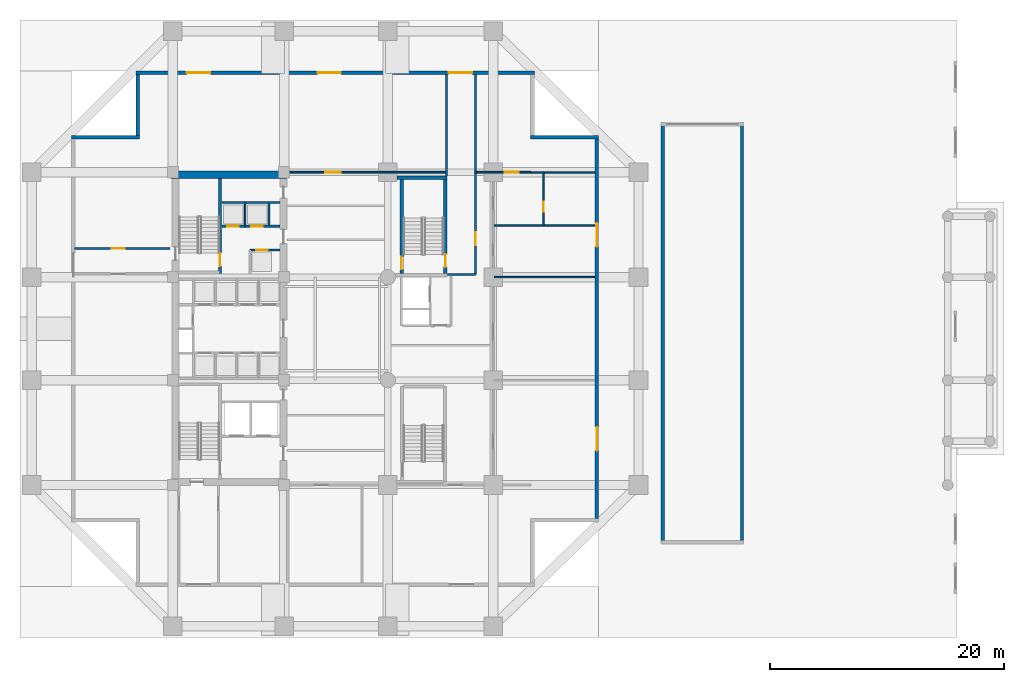
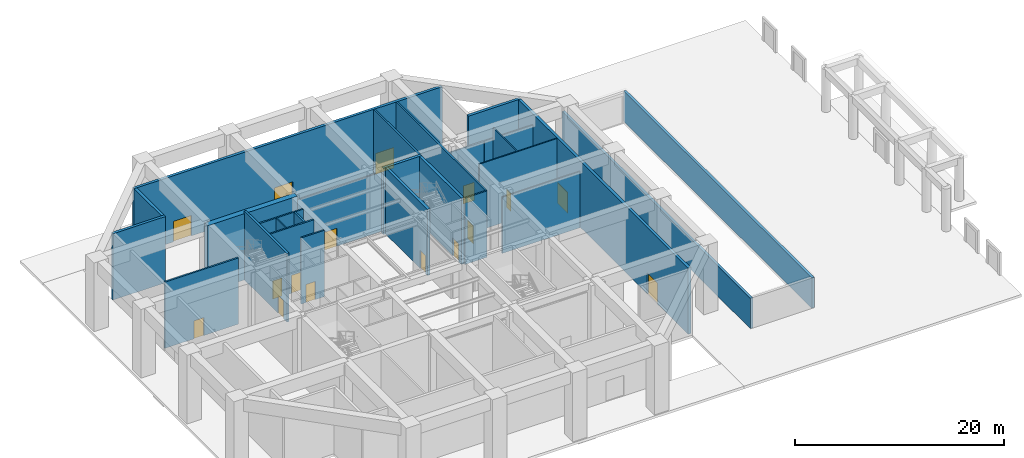
# One storey, part 5 of 10: 27 walls, 16 doors, 16 openings.
"""IFC4 building model written with IfcOpenShell, lengths in metres."""

from ifc_helpers import new_model, si_unit, direction, frame, frame_2d, origin, place, context, subcontext, project, spatial, rectangle, extrude, material, layer, layer_set, type_object, element, fill, save


model = new_model("IFC4")

# Units and contexts
model_context = context("Model", 3, precision=1e-05, world=origin(), true_north=direction((0.0, 1.0)))
body_context = subcontext(model_context, "Body", "Model", "MODEL_VIEW")
ifc_project = project(units=[si_unit("LENGTHUNIT", "METRE"), si_unit("AREAUNIT", "SQUARE_METRE"), si_unit("VOLUMEUNIT", "CUBIC_METRE"), si_unit("PLANEANGLEUNIT", "RADIAN"), si_unit("MASSUNIT", "GRAM", prefix="KILO")], contexts=[model_context])

# Site, building, storey
site_placement = place(None, origin())
site = spatial("IfcSite", under=ifc_project, at=site_placement, CompositionType="ELEMENT")
building_placement = place(site_placement, origin())
building = spatial("IfcBuilding", under=site, at=building_placement, Name="Kundavana Baori Tower", CompositionType="ELEMENT")
storey_placement = place(building_placement, origin())
storey = spatial("IfcBuildingStorey", under=building, at=storey_placement, Name="L00", CompositionType="ELEMENT", Elevation=0.0)

# Walls
ifc_material_1 = material(Name="Concrete C50/60", Category="concrete")
ifc_layer_1 = layer(ifc_material_1, 0.39990234375, Name="WL-CORE-400")
ifc_layer_set_1 = layer_set([ifc_layer_1], Name="Concrete C50/60")
wall_type_1 = type_object("IfcWallType", Name="WL-CORE-400", PredefinedType="SHEAR", material=ifc_layer_set_1)
for number, where, z_axis, x_axis, name in (
    (1, (57.260009765625, 10.25, 0.0), (0.0, 0.0, 1.0), (0.0, 1.0, 0.0), "L00 Car Park Ramp Headhouse West Wall"),
    (2, (64.0400390625, 10.25, 0.0), (0.0, 0.0, 1.0), (0.0, 1.0, 0.0), "L00 Car Park Ramp Headhouse East Wall"),
):
    element("IfcWall", number, at=place(storey_placement, frame(where, z_axis=z_axis, x_axis=x_axis)), inside=storey, type_object=wall_type_1, Name=name, PredefinedType="SHEAR", context=body_context, shape_type="SweptSolid", body=[
        extrude(rectangle(XDim=35.949951171875, YDim=0.280029296875, at=frame_2d((17.97509765625, 0.0))), origin(), (0.0, 0.0, 1.0), 3.5400390625),
    ])

# Wall, opening, door
wall_1_placement = place(storey_placement, frame((19.4599609375, 33.300048828125, 0.0), z_axis=(0.0, 0.0, 1.0), x_axis=(0.0, 1.0, 0.0)))
wall_1 = element("IfcWall", 3, at=wall_1_placement, inside=storey, type_object=wall_type_1, Name="WL-L00-ST2-E", PredefinedType="SHEAR", context=body_context, shape_type="SweptSolid", body=[
    extrude(rectangle(XDim=8.179931640625, YDim=0.239990234375, at=frame_2d((4.08984375, 0.0))), origin(), (0.0, 0.0, 1.0), 8.0),
])
opening_1_placement = place(wall_1_placement, frame((0.64990234375, 0.0, 0.0)))
opening_1 = element("IfcOpeningElement", 4, at=opening_1_placement, cuts=wall_1, Name="Opening FD-110", PredefinedType="OPENING", context=body_context, shape_type="SweptSolid", body=[
    extrude(rectangle(XDim=1.10009765625, YDim=2.10009765625, at=frame_2d((0.550048828125, 1.050048828125))), frame((0.0, 0.1298828125, 0.0), z_axis=(0.0, -1.0, 0.0), x_axis=(1.0, 0.0, 0.0)), (0.0, 0.0, 1.0), 0.260009765625),
])
ifc_material_2 = material(Name="Galvanised Steel Fire-Rated Door Leaf", Category="steel")
door_type_1 = type_object("IfcDoorType", Name="DR-FD120-1100", OperationType="NOTDEFINED", PredefinedType="DOOR", material=ifc_material_2)
door_1_placement = place(opening_1_placement, origin())
door_1 = element("IfcDoor", 5, at=door_1_placement, inside=storey, type_object=door_type_1, Name="DR-L00-ST2", OperationType="SINGLE_SWING_RIGHT", OverallHeight=2.10009765625, OverallWidth=1.10009765625, PredefinedType="DOOR", context=body_context, shape_type="SweptSolid", body=[
    extrude(rectangle(XDim=1.10009765625, YDim=2.10009765625, at=frame_2d((0.550048828125, 1.050048828125))), frame((0.0, 0.02490234375, 0.0), z_axis=(0.0, -1.0, 0.0), x_axis=(1.0, 0.0, 0.0)), (0.0, 0.0, 1.0), 0.050048828125),
])
fill(opening_1, door_1)

# Wall
ifc_material_3 = material(Name="Concrete C60/75", Category="concrete")
ifc_layer_2 = layer(ifc_material_3, 0.60009765625, Name="WL-CORE-600")
ifc_layer_set_2 = layer_set([ifc_layer_2], Name="Concrete C60/75")
wall_type_2 = type_object("IfcWallType", Name="WL-CORE-600", PredefinedType="SHEAR", material=ifc_layer_set_2)
wall_2_placement = place(storey_placement, frame((15.300048828125, 41.739990234375, 0.0), z_axis=(0.0, 0.0, 1.0), x_axis=(1.0, 0.0, 0.0)))
element("IfcWall", 6, at=wall_2_placement, inside=storey, type_object=wall_type_2, Name="L00 Offset Core North Shear Wall", PredefinedType="SHEAR", context=body_context, shape_type="SweptSolid", body=[
    extrude(rectangle(XDim=9.8798828125, YDim=0.60009765625, at=frame_2d((4.93994140625, 0.0))), origin(), (0.0, 0.0, 1.0), 7.719970703125),
])

# Wall, openings, doors
ifc_material_4 = material(Name="Red-Buff Dholpur Sandstone Cladding on Concrete C40/50", Category="masonry")
ifc_layer_3 = layer(ifc_material_4, 0.300048828125, Name="WL-EXT-SAND-300")
ifc_layer_set_3 = layer_set([ifc_layer_3], Name="Red-Buff Dholpur Sandstone Cladding on Concrete C40/50")
wall_type_3 = type_object("IfcWallType", Name="WL-EXT-SAND-300", PredefinedType="STANDARD", material=ifc_layer_set_3)
wall_3_placement = place(storey_placement, frame((51.64990234375, 12.39990234375, 0.0), z_axis=(0.0, 0.0, 1.0), x_axis=(0.0, 1.0, 0.0)))
wall_3 = element("IfcWall", 7, at=wall_3_placement, inside=storey, type_object=wall_type_3, Name="L00 Exterior Insulated Facade Wall 04", PredefinedType="STANDARD", context=body_context, shape_type="SweptSolid", body=[
    extrude(rectangle(XDim=32.400146484375, YDim=0.300048828125, at=frame_2d((16.2001953125, 0.0))), origin(), (0.0, 0.0, 1.0), 7.719970703125),
])
opening_2_placement = place(wall_3_placement, frame((5.800048828125, 0.0, 0.0)))
opening_2 = element("IfcOpeningElement", 8, at=opening_2_placement, cuts=wall_3, Name="Opening ED-1", PredefinedType="OPENING", context=body_context, shape_type="SweptSolid", body=[
    extrude(rectangle(XDim=2.0, YDim=2.39990234375, at=frame_2d((1.0, 1.199951171875))), frame((0.0, 0.16015625, 0.0), z_axis=(0.0, -1.0, 0.0), x_axis=(1.0, 0.0, 0.0)), (0.0, 0.0, 1.0), 0.320068359375),
])
opening_3_placement = place(wall_3_placement, frame((23.199951171875, 0.0, 0.0)))
opening_3 = element("IfcOpeningElement", 9, at=opening_3_placement, cuts=wall_3, Name="Opening ED-1", PredefinedType="OPENING", context=body_context, shape_type="SweptSolid", body=[
    extrude(rectangle(XDim=2.0, YDim=2.39990234375, at=frame_2d((1.0, 1.199951171875))), frame((0.0, 0.16015625, 0.0), z_axis=(0.0, -1.0, 0.0), x_axis=(1.0, 0.0, 0.0)), (0.0, 0.0, 1.0), 0.320068359375),
])
ifc_material_5 = material(Name="Architectural Patinated Bronze Metalwork")
door_type_2 = type_object("IfcDoorType", Name="DR-EXT-EXIT-2000", OperationType="NOTDEFINED", PredefinedType="DOOR", material=ifc_material_5)
door_2_placement = place(opening_2_placement, frame((2.0, 0.0, 0.0), z_axis=(0.0, 0.0, 1.0), x_axis=(-1.0, 0.0, 0.0)))
door_2 = element("IfcDoor", 10, at=door_2_placement, inside=storey, type_object=door_type_2, Name="L00 Final Street Exit Door ED-E1", OperationType="DOUBLE_DOOR_SINGLE_SWING", OverallHeight=2.39990234375, OverallWidth=2.0, PredefinedType="DOOR", context=body_context, shape_type="SweptSolid", body=[
    extrude(rectangle(XDim=2.0, YDim=2.39990234375, at=frame_2d((1.0, 1.199951171875))), frame((0.0, 0.02490234375, 0.0), z_axis=(0.0, -1.0, 0.0), x_axis=(1.0, 0.0, 0.0)), (0.0, 0.0, 1.0), 0.050048828125),
])
fill(opening_2, door_2)
door_3_placement = place(opening_3_placement, frame((2.0, 0.0, 0.0), z_axis=(0.0, 0.0, 1.0), x_axis=(-1.0, 0.0, 0.0)))
door_3 = element("IfcDoor", 11, at=door_3_placement, inside=storey, type_object=door_type_2, Name="L00 Final Street Exit Door ED-E2", OperationType="DOUBLE_DOOR_SINGLE_SWING", OverallHeight=2.39990234375, OverallWidth=2.0, PredefinedType="DOOR", context=body_context, shape_type="SweptSolid", body=[
    extrude(rectangle(XDim=2.0, YDim=2.39990234375, at=frame_2d((1.0, 1.199951171875))), frame((0.0, 0.02490234375, 0.0), z_axis=(0.0, -1.0, 0.0), x_axis=(1.0, 0.0, 0.0)), (0.0, 0.0, 1.0), 0.050048828125),
])
fill(opening_3, door_3)

# Wall
wall_4_placement = place(storey_placement, frame((51.800048828125, 44.949951171875, 0.0), z_axis=(0.0, 0.0, 1.0), x_axis=(-1.0, 0.0, 0.0)))
element("IfcWall", 12, at=wall_4_placement, inside=storey, type_object=wall_type_3, Name="L00 Exterior Insulated Facade Wall 05", PredefinedType="STANDARD", context=body_context, shape_type="SweptSolid", body=[
    extrude(rectangle(XDim=5.800048828125, YDim=0.300048828125, at=frame_2d((2.89990234375, 0.0))), origin(), (0.0, 0.0, 1.0), 7.719970703125),
])

# Wall, openings, doors
wall_5_placement = place(storey_placement, frame((46.300048828125, 50.449951171875, 0.0), z_axis=(0.0, 0.0, 1.0), x_axis=(-1.0, 0.0, 0.0)))
wall_5 = element("IfcWall", 13, at=wall_5_placement, inside=storey, type_object=wall_type_3, Name="L00 Exterior Insulated Facade Wall 07", PredefinedType="STANDARD", context=body_context, shape_type="SweptSolid", body=[
    extrude(rectangle(XDim=34.0, YDim=0.300048828125, at=frame_2d((17.0, 0.0))), origin(), (0.0, 0.0, 1.0), 7.719970703125),
])
opening_4_placement = place(wall_5_placement, frame((5.300048828125, 0.0, 0.0)))
opening_4 = element("IfcOpeningElement", 14, at=opening_4_placement, cuts=wall_5, Name="Opening ED-1", PredefinedType="OPENING", context=body_context, shape_type="SweptSolid", body=[
    extrude(rectangle(XDim=2.0, YDim=2.39990234375, at=frame_2d((1.0, 1.199951171875))), frame((0.0, 0.16015625, 0.0), z_axis=(0.0, -1.0, 0.0), x_axis=(1.0, 0.0, 0.0)), (0.0, 0.0, 1.0), 0.320068359375),
])
opening_5_placement = place(wall_5_placement, frame((16.5, 0.0, 0.0)))
opening_5 = element("IfcOpeningElement", 15, at=opening_5_placement, cuts=wall_5, Name="Opening ED-1", PredefinedType="OPENING", context=body_context, shape_type="SweptSolid", body=[
    extrude(rectangle(XDim=2.0, YDim=2.39990234375, at=frame_2d((1.0, 1.199951171875))), frame((0.0, 0.16015625, 0.0), z_axis=(0.0, -1.0, 0.0), x_axis=(1.0, 0.0, 0.0)), (0.0, 0.0, 1.0), 0.320068359375),
])
opening_6_placement = place(wall_5_placement, frame((27.64990234375, 0.0, 0.0)))
opening_6 = element("IfcOpeningElement", 16, at=opening_6_placement, cuts=wall_5, Name="Opening ED-1", PredefinedType="OPENING", context=body_context, shape_type="SweptSolid", body=[
    extrude(rectangle(XDim=2.0, YDim=2.39990234375, at=frame_2d((1.0, 1.199951171875))), frame((0.0, 0.16015625, 0.0), z_axis=(0.0, -1.0, 0.0), x_axis=(1.0, 0.0, 0.0)), (0.0, 0.0, 1.0), 0.320068359375),
])
door_4_placement = place(opening_4_placement, frame((2.0, 0.0, 0.0), z_axis=(0.0, 0.0, 1.0), x_axis=(-1.0, 0.0, 0.0)))
door_4 = element("IfcDoor", 17, at=door_4_placement, inside=storey, type_object=door_type_2, Name="L00 Final Street Exit Door ED-N3", OperationType="DOUBLE_DOOR_SINGLE_SWING", OverallHeight=2.39990234375, OverallWidth=2.0, PredefinedType="DOOR", context=body_context, shape_type="SweptSolid", body=[
    extrude(rectangle(XDim=2.0, YDim=2.39990234375, at=frame_2d((1.0, 1.199951171875))), frame((0.0, 0.02490234375, 0.0), z_axis=(0.0, -1.0, 0.0), x_axis=(1.0, 0.0, 0.0)), (0.0, 0.0, 1.0), 0.050048828125),
])
fill(opening_4, door_4)
door_5_placement = place(opening_5_placement, frame((2.0, 0.0, 0.0), z_axis=(0.0, 0.0, 1.0), x_axis=(-1.0, 0.0, 0.0)))
door_5 = element("IfcDoor", 18, at=door_5_placement, inside=storey, type_object=door_type_2, Name="L00 Final Street Exit Door ED-N1", OperationType="DOUBLE_DOOR_SINGLE_SWING", OverallHeight=2.39990234375, OverallWidth=2.0, PredefinedType="DOOR", context=body_context, shape_type="SweptSolid", body=[
    extrude(rectangle(XDim=2.0, YDim=2.39990234375, at=frame_2d((1.0, 1.199951171875))), frame((0.0, 0.02490234375, 0.0), z_axis=(0.0, -1.0, 0.0), x_axis=(1.0, 0.0, 0.0)), (0.0, 0.0, 1.0), 0.050048828125),
])
fill(opening_5, door_5)
door_6_placement = place(opening_6_placement, frame((2.0, 0.0, 0.0), z_axis=(0.0, 0.0, 1.0), x_axis=(-1.0, 0.0, 0.0)))
door_6 = element("IfcDoor", 19, at=door_6_placement, inside=storey, type_object=door_type_2, Name="L00 Final Street Exit Door ED-N2", OperationType="DOUBLE_DOOR_SINGLE_SWING", OverallHeight=2.39990234375, OverallWidth=2.0, PredefinedType="DOOR", context=body_context, shape_type="SweptSolid", body=[
    extrude(rectangle(XDim=2.0, YDim=2.39990234375, at=frame_2d((1.0, 1.199951171875))), frame((0.0, 0.02490234375, 0.0), z_axis=(0.0, -1.0, 0.0), x_axis=(1.0, 0.0, 0.0)), (0.0, 0.0, 1.0), 0.050048828125),
])
fill(opening_6, door_6)

# Walls
wall_6_placement = place(storey_placement, frame((12.449951171875, 50.300048828125, 0.0), z_axis=(0.0, 0.0, 1.0), x_axis=(0.0, -1.0, 0.0)))
element("IfcWall", 20, at=wall_6_placement, inside=storey, type_object=wall_type_3, Name="L00 Exterior Insulated Facade Wall 08", PredefinedType="STANDARD", context=body_context, shape_type="SweptSolid", body=[
    extrude(rectangle(XDim=5.199951171875, YDim=0.300048828125, at=frame_2d((2.60009765625, 0.0))), origin(), (0.0, 0.0, 1.0), 7.719970703125),
])
wall_7_placement = place(storey_placement, frame((12.60009765625, 44.949951171875, 0.0), z_axis=(0.0, 0.0, 1.0), x_axis=(-1.0, 0.0, 0.0)))
element("IfcWall", 21, at=wall_7_placement, inside=storey, type_object=wall_type_3, Name="L00 Exterior Insulated Facade Wall 09", PredefinedType="STANDARD", context=body_context, shape_type="SweptSolid", body=[
    extrude(rectangle(XDim=5.800048828125, YDim=0.300048828125, at=frame_2d((2.89990234375, 0.0))), origin(), (0.0, 0.0, 1.0), 7.719970703125),
])
ifc_material_6 = material(Name="Acoustic Gypsum Plasterboard on Galvanised Steel Studs", Category="steel")
ifc_layer_4 = layer(ifc_material_6, 0.1201171875, Name="WL-PART-120")
ifc_layer_set_4 = layer_set([ifc_layer_4], Name="Acoustic Gypsum Plasterboard on Galvanised Steel Studs")
wall_type_4 = type_object("IfcWallType", Name="WL-PART-120", PredefinedType="PARTITIONING", material=ifc_layer_set_4)
wall_8_placement = place(storey_placement, frame((21.6201171875, 37.39990234375, 0.0), z_axis=(0.0, 0.0, 1.0), x_axis=(0.0, 1.0, 0.0)))
element("IfcWall", 22, at=wall_8_placement, inside=storey, type_object=wall_type_4, Name="WL-L00-HR-DIV1", PredefinedType="PARTITIONING", context=body_context, shape_type="SweptSolid", body=[
    extrude(rectangle(XDim=1.900146484375, YDim=0.1201171875, at=frame_2d((0.9501953125, 0.0))), origin(), (0.0, 0.0, 1.0), 7.719970703125),
])

# Wall, opening, door
ifc_material_7 = material(Name="Fire-Rated Gypsum Drywall on Galvanised Steel Studs", Category="steel")
ifc_layer_5 = layer(ifc_material_7, 0.14990234375, Name="WL-PART-150")
ifc_layer_set_5 = layer_set([ifc_layer_5], Name="Fire-Rated Gypsum Drywall on Galvanised Steel Studs")
wall_type_5 = type_object("IfcWallType", Name="WL-PART-150", PredefinedType="PARTITIONING", material=ifc_layer_set_5)
wall_9_placement = place(storey_placement, frame((25.25, 41.949951171875, 0.0), z_axis=(0.0, 0.0, 1.0), x_axis=(1.0, 0.0, 0.0)))
wall_9 = element("IfcWall", 23, at=wall_9_placement, inside=storey, type_object=wall_type_5, Name="WL-L00-NLINE", PredefinedType="PARTITIONING", context=body_context, shape_type="SweptSolid", body=[
    extrude(rectangle(XDim=13.550048828125, YDim=0.14990234375, at=frame_2d((6.77490234375, 0.0))), origin(), (0.0, 0.0, 1.0), 6.919921875),
])
opening_7_placement = place(wall_9_placement, frame((3.199951171875, 0.0, 0.0)))
opening_7 = element("IfcOpeningElement", 24, at=opening_7_placement, cuts=wall_9, Name="Opening ID-135", PredefinedType="OPENING", context=body_context, shape_type="SweptSolid", body=[
    extrude(rectangle(XDim=1.35009765625, YDim=2.10009765625, at=frame_2d((0.675048828125, 1.050048828125))), frame((0.0, 0.0849609375, 0.0), z_axis=(0.0, -1.0, 0.0), x_axis=(1.0, 0.0, 0.0)), (0.0, 0.0, 1.0), 0.169921875),
])
ifc_material_8 = material(Name="Engineered Teak Solid-Core Timber Veneer", Category="wood")
door_type_3 = type_object("IfcDoorType", Name="DR-INT-1350", OperationType="NOTDEFINED", PredefinedType="DOOR", material=ifc_material_8)
door_7_placement = place(opening_7_placement, origin())
door_7 = element("IfcDoor", 25, at=door_7_placement, inside=storey, type_object=door_type_3, Name="DR-L00-GALN", OperationType="SINGLE_SWING_LEFT", OverallHeight=2.10009765625, OverallWidth=1.35009765625, PredefinedType="DOOR", context=body_context, shape_type="SweptSolid", body=[
    extrude(rectangle(XDim=1.35009765625, YDim=2.10009765625, at=frame_2d((0.675048828125, 1.050048828125))), frame((0.0, 0.02490234375, 0.0), z_axis=(0.0, -1.0, 0.0), x_axis=(1.0, 0.0, 0.0)), (0.0, 0.0, 1.0), 0.050048828125),
])
fill(opening_7, door_7)

wall_10_placement = place(storey_placement, frame((41.280029296875, 41.949951171875, 0.0), z_axis=(0.0, 0.0, 1.0), x_axis=(1.0, 0.0, 0.0)))
wall_10 = element("IfcWall", 26, at=wall_10_placement, inside=storey, type_object=wall_type_5, Name="WL-L00-NLINE2", PredefinedType="PARTITIONING", context=body_context, shape_type="SweptSolid", body=[
    extrude(rectangle(XDim=4.719970703125, YDim=0.14990234375, at=frame_2d((2.35986328125, 0.0))), origin(), (0.0, 0.0, 1.0), 6.550048828125),
])
opening_8_placement = place(wall_10_placement, frame((2.5, 0.0, 0.0)))
opening_8 = element("IfcOpeningElement", 27, at=opening_8_placement, cuts=wall_10, Name="Opening ID-120", PredefinedType="OPENING", context=body_context, shape_type="SweptSolid", body=[
    extrude(rectangle(XDim=1.199951171875, YDim=2.10009765625, at=frame_2d((0.60009765625, 1.050048828125))), frame((0.0, 0.0849609375, 0.0), z_axis=(0.0, -1.0, 0.0), x_axis=(1.0, 0.0, 0.0)), (0.0, 0.0, 1.0), 0.169921875),
])
ifc_material_9 = material(Name="Engineered Teak Solid-Core Timber Veneer", Category="wood")
door_type_4 = type_object("IfcDoorType", Name="DR-INT-1200", OperationType="NOTDEFINED", PredefinedType="DOOR", material=ifc_material_9)
door_8_placement = place(opening_8_placement, origin())
door_8 = element("IfcDoor", 28, at=door_8_placement, inside=storey, type_object=door_type_4, Name="DR-L00-GALNE", OperationType="SINGLE_SWING_RIGHT", OverallHeight=2.10009765625, OverallWidth=1.199951171875, PredefinedType="DOOR", context=body_context, shape_type="SweptSolid", body=[
    extrude(rectangle(XDim=1.199951171875, YDim=2.10009765625, at=frame_2d((0.60009765625, 1.050048828125))), frame((0.0, 0.02490234375, 0.0), z_axis=(0.0, -1.0, 0.0), x_axis=(1.0, 0.0, 0.0)), (0.0, 0.0, 1.0), 0.050048828125),
])
fill(opening_8, door_8)

ifc_material_10 = material(Name="Autoclaved Aerated Concrete Blockwork Masonry", Category="masonry")
ifc_layer_6 = layer(ifc_material_10, 0.18505859375, Name="WL-PART-180")
ifc_layer_set_6 = layer_set([ifc_layer_6], Name="Autoclaved Aerated Concrete Blockwork Masonry")
wall_type_6 = type_object("IfcWallType", Name="WL-PART-180", PredefinedType="SOLIDWALL", material=ifc_layer_set_6)
wall_11_placement = place(storey_placement, frame((7.050048828125, 35.43994140625, 0.0), z_axis=(0.0, 0.0, 1.0), x_axis=(1.0, 0.0, 0.0)))
wall_11 = element("IfcWall", 29, at=wall_11_placement, inside=storey, type_object=wall_type_6, Name="WL-L00-EXD2-N", PredefinedType="SOLIDWALL", context=body_context, shape_type="SweptSolid", body=[
    extrude(rectangle(XDim=8.14990234375, YDim=0.18505859375, at=frame_2d((4.074951171875, 0.0))), origin(), (0.0, 0.0, 1.0), 7.719970703125),
])
opening_9_placement = place(wall_11_placement, frame((3.199951171875, 0.0, 0.0)))
opening_9 = element("IfcOpeningElement", 30, at=opening_9_placement, cuts=wall_11, Name="Opening FD-110", PredefinedType="OPENING", context=body_context, shape_type="SweptSolid", body=[
    extrude(rectangle(XDim=1.10009765625, YDim=2.10009765625, at=frame_2d((0.550048828125, 1.050048828125))), frame((0.0, 0.1025390625, 0.0), z_axis=(0.0, -1.0, 0.0), x_axis=(1.0, 0.0, 0.0)), (0.0, 0.0, 1.0), 0.205078125),
])
door_9_placement = place(opening_9_placement, origin())
door_9 = element("IfcDoor", 31, at=door_9_placement, inside=storey, type_object=door_type_1, Name="DR-L00-EXD2-E", OperationType="SINGLE_SWING_LEFT", OverallHeight=2.10009765625, OverallWidth=1.10009765625, PredefinedType="DOOR", context=body_context, shape_type="SweptSolid", body=[
    extrude(rectangle(XDim=1.10009765625, YDim=2.10009765625, at=frame_2d((0.550048828125, 1.050048828125))), frame((0.0, 0.02490234375, 0.0), z_axis=(0.0, -1.0, 0.0), x_axis=(1.0, 0.0, 0.0)), (0.0, 0.0, 1.0), 0.050048828125),
])
fill(opening_9, door_9)

# Walls
wall_12_placement = place(storey_placement, frame((38.8798828125, 33.219970703125, 0.0), z_axis=(0.0, 0.0, 1.0), x_axis=(1.0, 0.0, 0.0)))
element("IfcWall", 32, at=wall_12_placement, inside=storey, type_object=wall_type_6, Name="WL-L00-EXD3-S", PredefinedType="SOLIDWALL", context=body_context, shape_type="SweptSolid", body=[
    extrude(rectangle(XDim=2.400146484375, YDim=0.18505859375, at=frame_2d((1.2001953125, 0.0))), origin(), (0.0, 0.0, 1.0), 7.719970703125),
])
wall_13_placement = place(storey_placement, frame((38.800048828125, 41.64990234375, 0.0), z_axis=(0.0, 0.0, 1.0), x_axis=(0.0, 1.0, 0.0)))
element("IfcWall", 33, at=wall_13_placement, inside=storey, type_object=wall_type_6, Name="WL-L00-EXD3-W", PredefinedType="SOLIDWALL", context=body_context, shape_type="SweptSolid", body=[
    extrude(rectangle(XDim=8.650146484375, YDim=0.18505859375, at=frame_2d((4.3251953125, 0.0))), origin(), (0.0, 0.0, 1.0), 7.719970703125),
])

# Wall, opening, door
wall_14_placement = place(storey_placement, frame((41.280029296875, 33.219970703125, 0.0), z_axis=(0.0, 0.0, 1.0), x_axis=(0.0, 1.0, 0.0)))
wall_14 = element("IfcWall", 34, at=wall_14_placement, inside=storey, type_object=wall_type_6, Name="WL-L00-EXD3-E", PredefinedType="SOLIDWALL", context=body_context, shape_type="SweptSolid", body=[
    extrude(rectangle(XDim=17.080078125, YDim=0.18505859375, at=frame_2d((8.5400390625, 0.0))), origin(), (0.0, 0.0, 1.0), 7.719970703125),
])
opening_10_placement = place(wall_14_placement, frame((2.5, 0.0, 0.0)))
opening_10 = element("IfcOpeningElement", 35, at=opening_10_placement, cuts=wall_14, Name="Opening FD-110", PredefinedType="OPENING", context=body_context, shape_type="SweptSolid", body=[
    extrude(rectangle(XDim=1.10009765625, YDim=2.10009765625, at=frame_2d((0.550048828125, 1.050048828125))), frame((0.0, 0.1025390625, 0.0), z_axis=(0.0, -1.0, 0.0), x_axis=(1.0, 0.0, 0.0)), (0.0, 0.0, 1.0), 0.205078125),
])
door_10_placement = place(opening_10_placement, origin())
door_10 = element("IfcDoor", 36, at=door_10_placement, inside=storey, type_object=door_type_1, Name="DR-L00-EXD3-E", OperationType="SINGLE_SWING_LEFT", OverallHeight=2.10009765625, OverallWidth=1.10009765625, PredefinedType="DOOR", context=body_context, shape_type="SweptSolid", body=[
    extrude(rectangle(XDim=1.10009765625, YDim=2.10009765625, at=frame_2d((0.550048828125, 1.050048828125))), frame((0.0, 0.02490234375, 0.0), z_axis=(0.0, -1.0, 0.0), x_axis=(1.0, 0.0, 0.0)), (0.0, 0.0, 1.0), 0.050048828125),
])
fill(opening_10, door_10)

ifc_material_11 = material(Name="Autoclaved Aerated Concrete Blockwork Masonry", Category="masonry")
ifc_layer_7 = layer(ifc_material_11, 0.179931640625, Name="WL-SHAFT-180")
ifc_layer_set_7 = layer_set([ifc_layer_7], Name="Autoclaved Aerated Concrete Blockwork Masonry")
wall_type_7 = type_object("IfcWallType", Name="WL-SHAFT-180", PredefinedType="SOLIDWALL", material=ifc_layer_set_7)
wall_15_placement = place(storey_placement, frame((22.02001953125, 35.31005859375, 0.0), z_axis=(0.0, 0.0, 1.0), x_axis=(1.0, 0.0, 0.0)))
wall_15 = element("IfcWall", 37, at=wall_15_placement, inside=storey, type_object=wall_type_7, Name="WL-L00-LP11-N", PredefinedType="SOLIDWALL", context=body_context, shape_type="SweptSolid", body=[
    extrude(rectangle(XDim=2.56005859375, YDim=0.179931640625, at=frame_2d((1.280029296875, 0.0))), origin(), (0.0, 0.0, 1.0), 7.719970703125),
])
opening_11_placement = place(wall_15_placement, frame((0.550048828125, 0.0, 0.0)))
opening_11 = element("IfcOpeningElement", 38, at=opening_11_placement, cuts=wall_15, Name="Opening LD-100", PredefinedType="OPENING", context=body_context, shape_type="SweptSolid", body=[
    extrude(rectangle(XDim=1.0, YDim=2.10009765625, at=frame_2d((0.5, 1.050048828125))), frame((0.0, 0.10009765625, 0.0), z_axis=(0.0, -1.0, 0.0), x_axis=(1.0, 0.0, 0.0)), (0.0, 0.0, 1.0), 0.199951171875),
])
ifc_material_12 = material(Name="Galvanised Steel Fire-Rated Door Leaf", Category="steel")
door_type_5 = type_object("IfcDoorType", Name="DR-SLIDE-LD1000", OperationType="NOTDEFINED", PredefinedType="DOOR", material=ifc_material_12)
door_11_placement = place(opening_11_placement, origin())
door_11 = element("IfcDoor", 39, at=door_11_placement, inside=storey, type_object=door_type_5, Name="DR-L00-LD-LP11", OperationType="DOUBLE_DOOR_SLIDING", OverallHeight=2.10009765625, OverallWidth=1.0, PredefinedType="DOOR", context=body_context, shape_type="SweptSolid", body=[
    extrude(rectangle(XDim=1.0, YDim=2.10009765625, at=frame_2d((0.5, 1.050048828125))), frame((0.0, 0.02490234375, 0.0), z_axis=(0.0, -1.0, 0.0), x_axis=(1.0, 0.0, 0.0)), (0.0, 0.0, 1.0), 0.050048828125),
])
fill(opening_11, door_11)

# Wall, openings, doors
wall_16_placement = place(storey_placement, frame((19.639892578125, 37.340087890625, 0.0), z_axis=(0.0, 0.0, 1.0), x_axis=(1.0, 0.0, 0.0)))
wall_16 = element("IfcWall", 40, at=wall_16_placement, inside=storey, type_object=wall_type_7, Name="WL-L00-HRLOB-N", PredefinedType="SOLIDWALL", context=body_context, shape_type="SweptSolid", body=[
    extrude(rectangle(XDim=4.940185546875, YDim=0.179931640625, at=frame_2d((2.47021484375, 0.0))), origin(), (0.0, 0.0, 1.0), 7.719970703125),
])
opening_12_placement = place(wall_16_placement, frame((0.449951171875, 0.0, 0.0)))
opening_12 = element("IfcOpeningElement", 41, at=opening_12_placement, cuts=wall_16, Name="Opening LD-100", PredefinedType="OPENING", context=body_context, shape_type="SweptSolid", body=[
    extrude(rectangle(XDim=1.0, YDim=2.10009765625, at=frame_2d((0.5, 1.050048828125))), frame((0.0, 0.10009765625, 0.0), z_axis=(0.0, -1.0, 0.0), x_axis=(1.0, 0.0, 0.0)), (0.0, 0.0, 1.0), 0.199951171875),
])
opening_13_placement = place(wall_16_placement, frame((2.5, 0.0, 0.0)))
opening_13 = element("IfcOpeningElement", 42, at=opening_13_placement, cuts=wall_16, Name="Opening LD-100", PredefinedType="OPENING", context=body_context, shape_type="SweptSolid", body=[
    extrude(rectangle(XDim=1.0, YDim=2.10009765625, at=frame_2d((0.5, 1.050048828125))), frame((0.0, 0.10009765625, 0.0), z_axis=(0.0, -1.0, 0.0), x_axis=(1.0, 0.0, 0.0)), (0.0, 0.0, 1.0), 0.199951171875),
])
door_12_placement = place(opening_12_placement, frame((1.0, 0.0, 0.0), z_axis=(0.0, 0.0, 1.0), x_axis=(-1.0, 0.0, 0.0)))
door_12 = element("IfcDoor", 43, at=door_12_placement, inside=storey, type_object=door_type_5, Name="DR-L00-LD-LP09", OperationType="DOUBLE_DOOR_SLIDING", OverallHeight=2.10009765625, OverallWidth=1.0, PredefinedType="DOOR", context=body_context, shape_type="SweptSolid", body=[
    extrude(rectangle(XDim=1.0, YDim=2.10009765625, at=frame_2d((0.5, 1.050048828125))), frame((0.0, 0.02490234375, 0.0), z_axis=(0.0, -1.0, 0.0), x_axis=(1.0, 0.0, 0.0)), (0.0, 0.0, 1.0), 0.050048828125),
])
fill(opening_12, door_12)
door_13_placement = place(opening_13_placement, frame((1.0, 0.0, 0.0), z_axis=(0.0, 0.0, 1.0), x_axis=(-1.0, 0.0, 0.0)))
door_13 = element("IfcDoor", 44, at=door_13_placement, inside=storey, type_object=door_type_5, Name="DR-L00-LD-LP10", OperationType="DOUBLE_DOOR_SLIDING", OverallHeight=2.10009765625, OverallWidth=1.0, PredefinedType="DOOR", context=body_context, shape_type="SweptSolid", body=[
    extrude(rectangle(XDim=1.0, YDim=2.10009765625, at=frame_2d((0.5, 1.050048828125))), frame((0.0, 0.02490234375, 0.0), z_axis=(0.0, -1.0, 0.0), x_axis=(1.0, 0.0, 0.0)), (0.0, 0.0, 1.0), 0.050048828125),
])
fill(opening_13, door_13)

# Walls
wall_17_placement = place(storey_placement, frame((19.639892578125, 39.360107421875, 0.0), z_axis=(0.0, 0.0, 1.0), x_axis=(1.0, 0.0, 0.0)))
element("IfcWall", 45, at=wall_17_placement, inside=storey, type_object=wall_type_7, Name="WL-L00-HRLOB-TOP", PredefinedType="SOLIDWALL", context=body_context, shape_type="SweptSolid", body=[
    extrude(rectangle(XDim=4.940185546875, YDim=0.179931640625, at=frame_2d((2.47021484375, 0.0))), origin(), (0.0, 0.0, 1.0), 7.719970703125),
])
wall_18_placement = place(storey_placement, frame((23.659912109375, 37.39990234375, 0.0), z_axis=(0.0, 0.0, 1.0), x_axis=(0.0, 1.0, 0.0)))
element("IfcWall", 46, at=wall_18_placement, inside=storey, type_object=wall_type_7, Name="WL-L00-HR-DIV2", PredefinedType="SOLIDWALL", context=body_context, shape_type="SweptSolid", body=[
    extrude(rectangle(XDim=1.900146484375, YDim=0.179931640625, at=frame_2d((0.9501953125, 0.0))), origin(), (0.0, 0.0, 1.0), 7.719970703125),
])
ifc_material_13 = material(Name="Concrete C50/60", Category="concrete")
ifc_layer_8 = layer(ifc_material_13, 0.300048828125, Name="WL-ST3-300")
ifc_layer_set_8 = layer_set([ifc_layer_8], Name="Concrete C50/60")
wall_type_8 = type_object("IfcWallType", Name="WL-ST3-300", PredefinedType="SHEAR", material=ifc_layer_set_8)
wall_19_placement = place(storey_placement, frame((34.60009765625, 41.489990234375, 0.0), z_axis=(0.0, 0.0, 1.0), x_axis=(1.0, 0.0, 0.0)))
element("IfcWall", 47, at=wall_19_placement, inside=storey, type_object=wall_type_8, Name="L00 Stair ST3 North Shear Wall", PredefinedType="SHEAR", context=body_context, shape_type="SweptSolid", body=[
    extrude(rectangle(XDim=4.27001953125, YDim=0.300048828125, at=frame_2d((2.135009765625, 0.0))), origin(), (0.0, 0.0, 1.0), 7.719970703125),
])

# Wall, opening, door
wall_20_placement = place(storey_placement, frame((34.97998046875, 33.31005859375, 0.0), z_axis=(0.0, 0.0, 1.0), x_axis=(0.0, 1.0, 0.0)))
wall_20 = element("IfcWall", 48, at=wall_20_placement, inside=storey, type_object=wall_type_8, Name="L00 Stair ST3 West Shear Wall", PredefinedType="SHEAR", context=body_context, shape_type="SweptSolid", body=[
    extrude(rectangle(XDim=8.030029296875, YDim=0.300048828125, at=frame_2d((4.01513671875, 0.0))), origin(), (0.0, 0.0, 1.0), 7.719970703125),
])
opening_14_placement = place(wall_20_placement, frame((0.35009765625, 0.0, 0.0)))
opening_14 = element("IfcOpeningElement", 49, at=opening_14_placement, cuts=wall_20, Name="Opening FD-110", PredefinedType="OPENING", context=body_context, shape_type="SweptSolid", body=[
    extrude(rectangle(XDim=1.10009765625, YDim=2.10009765625, at=frame_2d((0.550048828125, 1.050048828125))), frame((0.0, 0.16015625, 0.0), z_axis=(0.0, -1.0, 0.0), x_axis=(1.0, 0.0, 0.0)), (0.0, 0.0, 1.0), 0.320068359375),
])
door_14_placement = place(opening_14_placement, origin())
door_14 = element("IfcDoor", 50, at=door_14_placement, inside=storey, type_object=door_type_1, Name="DR-L00-ST3-W", OperationType="SINGLE_SWING_LEFT", OverallHeight=2.10009765625, OverallWidth=1.10009765625, PredefinedType="DOOR", context=body_context, shape_type="SweptSolid", body=[
    extrude(rectangle(XDim=1.10009765625, YDim=2.10009765625, at=frame_2d((0.550048828125, 1.050048828125))), frame((0.0, 0.02490234375, 0.0), z_axis=(0.0, -1.0, 0.0), x_axis=(1.0, 0.0, 0.0)), (0.0, 0.0, 1.0), 0.050048828125),
])
fill(opening_14, door_14)

wall_21_placement = place(storey_placement, frame((38.719970703125, 33.31005859375, 0.0), z_axis=(0.0, 0.0, 1.0), x_axis=(0.0, 1.0, 0.0)))
wall_21 = element("IfcWall", 51, at=wall_21_placement, inside=storey, type_object=wall_type_8, Name="L00 Stair ST3 East Shear Wall", PredefinedType="SHEAR", context=body_context, shape_type="SweptSolid", body=[
    extrude(rectangle(XDim=8.030029296875, YDim=0.300048828125, at=frame_2d((4.01513671875, 0.0))), origin(), (0.0, 0.0, 1.0), 7.719970703125),
])
opening_15_placement = place(wall_21_placement, frame((0.550048828125, 0.0, 0.0)))
opening_15 = element("IfcOpeningElement", 52, at=opening_15_placement, cuts=wall_21, Name="Opening FD-110", PredefinedType="OPENING", context=body_context, shape_type="SweptSolid", body=[
    extrude(rectangle(XDim=1.10009765625, YDim=2.10009765625, at=frame_2d((0.550048828125, 1.050048828125))), frame((0.0, 0.16015625, 0.0), z_axis=(0.0, -1.0, 0.0), x_axis=(1.0, 0.0, 0.0)), (0.0, 0.0, 1.0), 0.320068359375),
])
door_15_placement = place(opening_15_placement, origin())
door_15 = element("IfcDoor", 53, at=door_15_placement, inside=storey, type_object=door_type_1, Name="DR-L00-ST3-DIS", OperationType="SINGLE_SWING_LEFT", OverallHeight=2.10009765625, OverallWidth=1.10009765625, PredefinedType="DOOR", context=body_context, shape_type="SweptSolid", body=[
    extrude(rectangle(XDim=1.10009765625, YDim=2.10009765625, at=frame_2d((0.550048828125, 1.050048828125))), frame((0.0, 0.02490234375, 0.0), z_axis=(0.0, -1.0, 0.0), x_axis=(1.0, 0.0, 0.0)), (0.0, 0.0, 1.0), 0.050048828125),
])
fill(opening_15, door_15)

# Walls
ifc_material_14 = material(Name="Autoclaved Aerated Concrete Blockwork Masonry", Category="masonry")
ifc_layer_9 = layer(ifc_material_14, 0.125, Name="WL-WET-120")
ifc_layer_set_9 = layer_set([ifc_layer_9], Name="Autoclaved Aerated Concrete Blockwork Masonry")
wall_type_9 = type_object("IfcWallType", Name="WL-WET-120", PredefinedType="PLUMBINGWALL", material=ifc_layer_set_9)
wall_22_placement = place(storey_placement, frame((42.8798828125, 33.0, 0.0), z_axis=(0.0, 0.0, 1.0), x_axis=(1.0, 0.0, 0.0)))
element("IfcWall", 54, at=wall_22_placement, inside=storey, type_object=wall_type_9, Name="WL-L00-EDIV2", PredefinedType="PLUMBINGWALL", context=body_context, shape_type="SweptSolid", body=[
    extrude(rectangle(XDim=8.570068359375, YDim=0.125, at=frame_2d((4.28515625, 0.0))), origin(), (0.0, 0.0, 1.0), 6.550048828125),
])
wall_23_placement = place(storey_placement, frame((42.8798828125, 37.39990234375, 0.0), z_axis=(0.0, 0.0, 1.0), x_axis=(1.0, 0.0, 0.0)))
element("IfcWall", 55, at=wall_23_placement, inside=storey, type_object=wall_type_9, Name="WL-L00-WCDIV", PredefinedType="PLUMBINGWALL", context=body_context, shape_type="SweptSolid", body=[
    extrude(rectangle(XDim=8.570068359375, YDim=0.125, at=frame_2d((4.28515625, 0.0))), origin(), (0.0, 0.0, 1.0), 7.719970703125),
])
wall_24_placement = place(storey_placement, frame((46.06005859375, 41.949951171875, 0.0), z_axis=(0.0, 0.0, 1.0), x_axis=(1.0, 0.0, 0.0)))
element("IfcWall", 56, at=wall_24_placement, inside=storey, type_object=wall_type_9, Name="WL-L00-WCEND", PredefinedType="PLUMBINGWALL", context=body_context, shape_type="SweptSolid", body=[
    extrude(rectangle(XDim=5.389892578125, YDim=0.125, at=frame_2d((2.69482421875, 0.0))), origin(), (0.0, 0.0, 1.0), 6.550048828125),
])

# Wall, opening, door
wall_25_placement = place(storey_placement, frame((47.10009765625, 37.39990234375, 0.0), z_axis=(0.0, 0.0, 1.0), x_axis=(0.0, 1.0, 0.0)))
wall_25 = element("IfcWall", 57, at=wall_25_placement, inside=storey, type_object=wall_type_9, Name="WL-L00-WCA-D", PredefinedType="PLUMBINGWALL", context=body_context, shape_type="SweptSolid", body=[
    extrude(rectangle(XDim=4.550048828125, YDim=0.125, at=frame_2d((2.27490234375, 0.0))), origin(), (0.0, 0.0, 1.0), 7.719970703125),
])
opening_16_placement = place(wall_25_placement, frame((1.199951171875, 0.0, 0.0)))
opening_16 = element("IfcOpeningElement", 58, at=opening_16_placement, cuts=wall_25, Name="Opening WD-085", PredefinedType="OPENING", context=body_context, shape_type="SweptSolid", body=[
    extrude(rectangle(XDim=0.85009765625, YDim=2.050048828125, at=frame_2d((0.425048828125, 1.02490234375))), frame((0.0, 0.072509765625, 0.0), z_axis=(0.0, -1.0, 0.0), x_axis=(1.0, 0.0, 0.0)), (0.0, 0.0, 1.0), 0.14501953125),
])
ifc_material_15 = material(Name="Engineered Teak Solid-Core Timber Veneer", Category="wood")
door_type_6 = type_object("IfcDoorType", Name="DR-WET-850", OperationType="NOTDEFINED", PredefinedType="DOOR", material=ifc_material_15)
door_16_placement = place(opening_16_placement, origin())
door_16 = element("IfcDoor", 59, at=door_16_placement, inside=storey, type_object=door_type_6, Name="DR-L00-WCPAR", OperationType="SINGLE_SWING_LEFT", OverallHeight=2.050048828125, OverallWidth=0.85009765625, PredefinedType="DOOR", context=body_context, shape_type="SweptSolid", body=[
    extrude(rectangle(XDim=0.85009765625, YDim=2.050048828125, at=frame_2d((0.425048828125, 1.02490234375))), frame((0.0, 0.02490234375, 0.0), z_axis=(0.0, -1.0, 0.0), x_axis=(1.0, 0.0, 0.0)), (0.0, 0.0, 1.0), 0.050048828125),
])
fill(opening_16, door_16)

save(model, "model.ifc")
